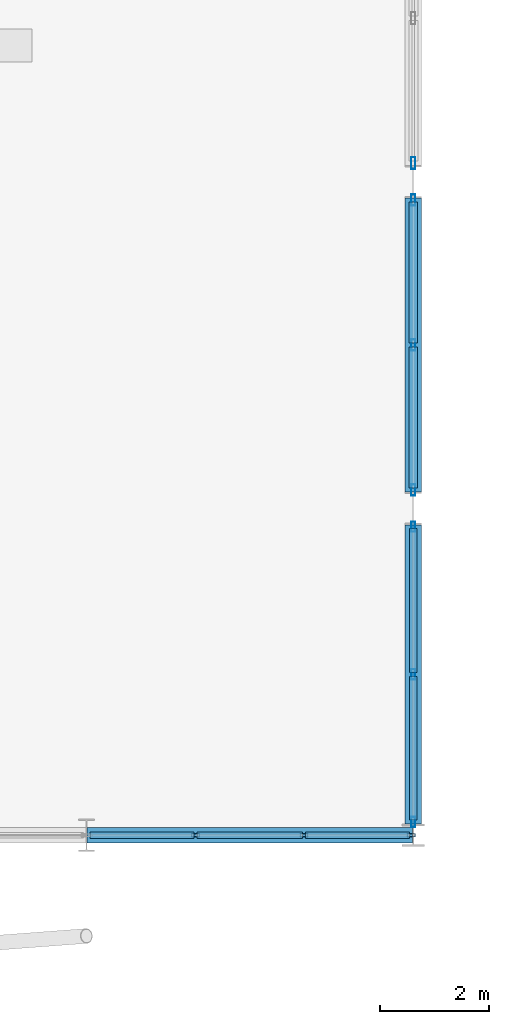
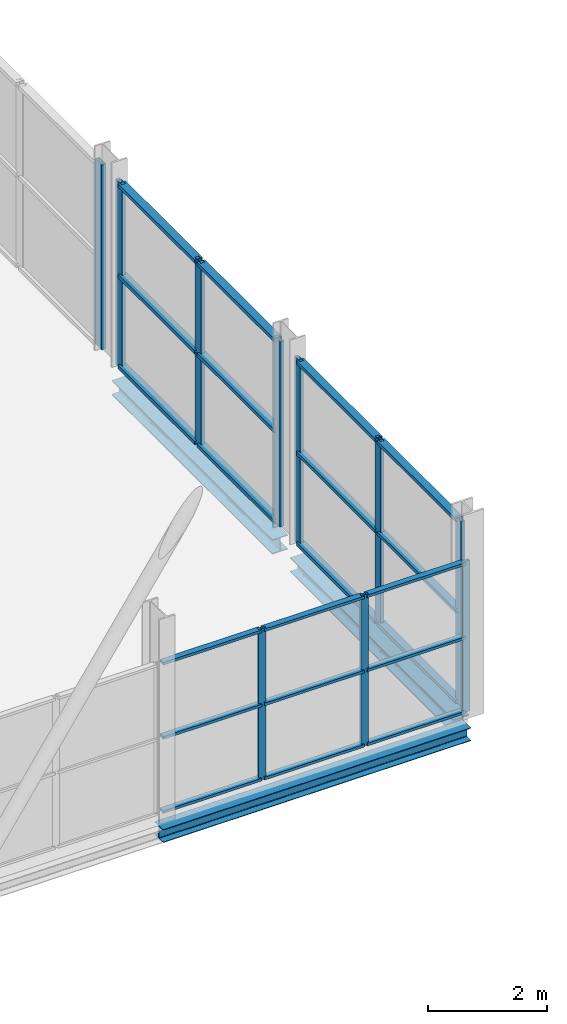
# One storey, part 33 of 140: 31 members, 3 beams, 4 elements without a shape of their own.
"""IFC4 building model written with IfcOpenShell, lengths in metres."""

from ifc_helpers import new_model, si_unit, direction, frame, origin, origin_2d, place, context, subcontext, project, spatial, hollow_rectangle, i_section, extrude, material, layer, layer_set, material_profile, profile_set, type_object, element, aggregate, save


model = new_model("IFC4")

# Units and contexts
model_context = context("Model", 3, precision=1e-05, world=origin(), true_north=direction((0.0, 1.0)))
body_context = subcontext(model_context, "Body", "Model", "MODEL_VIEW")
ifc_project = project(units=[si_unit("LENGTHUNIT", "METRE"), si_unit("AREAUNIT", "SQUARE_METRE"), si_unit("VOLUMEUNIT", "CUBIC_METRE"), si_unit("PLANEANGLEUNIT", "RADIAN"), si_unit("MASSUNIT", "GRAM", prefix="KILO")], contexts=[model_context])

# Site, building, storey
site_placement = place(None, origin())
site = spatial("IfcSite", under=ifc_project, at=site_placement, CompositionType="ELEMENT")
building_placement = place(site_placement, origin())
building = spatial("IfcBuilding", under=site, at=building_placement, Name="Deido Ridge Mobility Hub", CompositionType="ELEMENT")
storey_placement = place(building_placement, origin())
storey = spatial("IfcBuildingStorey", under=building, at=storey_placement, Name="L00", CompositionType="ELEMENT", Elevation=0.0)

# Curtain wall, members
ifc_material_1 = material(Name="Anodised aluminium EN AW-6063 T6", Category="aluminium")
ifc_layer_1 = layer(ifc_material_1, 0.179931640625, Name="Anodised aluminium EN AW-6063 T6")
ifc_layer_set_1 = layer_set([ifc_layer_1], Name="Anodised aluminium EN AW-6063 T6")
curtain_wall_type_1 = type_object("IfcCurtainWallType", Name="CW-UF-2", PredefinedType="USERDEFINED", material=ifc_layer_set_1)
curtain_wall_1_placement = place(storey_placement, origin())
curtain_wall_1 = element("IfcCurtainWall", 1, at=curtain_wall_1_placement, inside=storey, type_object=curtain_wall_type_1, Name="Unitised curtain wall CW2", ObjectType="UNITISED FACADE", PredefinedType="USERDEFINED")
ifc_material_profile_1 = material_profile(ifc_material_1, hollow_rectangle(XDim=0.054931640625, YDim=0.14501953125, WallThickness=0.00390625, at=origin_2d()), Name="RHS 55x145x4")
ifc_profile_set_1 = profile_set([ifc_material_profile_1], Name="Anodised aluminium EN AW-6063 T6")
member_type_1 = type_object("IfcMemberType", Name="MEM-MUL-55X145", PredefinedType="MULLION", material=ifc_profile_set_1)
member_1_placement = place(storey_placement, frame((56.001220703125, 0.0, 0.0), z_axis=(0.0, 0.0, 1.0), x_axis=(0.0, 1.0, 0.0)))
member_1 = element("IfcMember", 2, at=member_1_placement, type_object=member_type_1, Name="CW2 mullion 2", PredefinedType="MULLION", context=body_context, shape_type="SweptSolid", body=[
    extrude(hollow_rectangle(XDim=0.054931640625, YDim=0.14501953125, WallThickness=0.00390625, at=origin_2d()), origin(), (0.0, 0.0, 1.0), 3.10009765625),
])
member_2_placement = place(storey_placement, frame((57.99462890625, 0.0, 0.0), z_axis=(0.0, 0.0, 1.0), x_axis=(0.0, 1.0, 0.0)))
member_2 = element("IfcMember", 3, at=member_2_placement, type_object=member_type_1, Name="CW2 mullion 3", PredefinedType="MULLION", context=body_context, shape_type="SweptSolid", body=[
    extrude(hollow_rectangle(XDim=0.054931640625, YDim=0.14501953125, WallThickness=0.00390625, at=origin_2d()), origin(), (0.0, 0.0, 1.0), 3.10009765625),
])
member_3_placement = place(storey_placement, frame((59.96044921875, 0.0, 0.0), z_axis=(0.0, 0.0, 1.0), x_axis=(0.0, 1.0, 0.0)))
member_3 = element("IfcMember", 4, at=member_3_placement, type_object=member_type_1, Name="CW2 mullion 4", PredefinedType="MULLION", context=body_context, shape_type="SweptSolid", body=[
    extrude(hollow_rectangle(XDim=0.054931640625, YDim=0.14501953125, WallThickness=0.00390625, at=origin_2d()), origin(), (0.0, 0.0, 1.0), 3.10009765625),
])

ifc_layer_2 = layer(ifc_material_1, 0.239990234375, Name="Anodised aluminium EN AW-6063 T6")
ifc_layer_set_2 = layer_set([ifc_layer_2], Name="Anodised aluminium EN AW-6063 T6")
curtain_wall_type_2 = type_object("IfcCurtainWallType", Name="CW-UF-6", PredefinedType="USERDEFINED", material=ifc_layer_set_2)
curtain_wall_2_placement = place(storey_placement, origin())
curtain_wall_2 = element("IfcCurtainWall", 5, at=curtain_wall_2_placement, inside=storey, type_object=curtain_wall_type_2, Name="Unitised curtain wall CW6", ObjectType="UNITISED FACADE", PredefinedType="USERDEFINED")
ifc_material_profile_2 = material_profile(ifc_material_1, hollow_rectangle(XDim=0.070068359375, YDim=0.18994140625, WallThickness=0.00390625, at=origin_2d()), Name="RHS 70x190x4")
ifc_profile_set_2 = profile_set([ifc_material_profile_2], Name="Anodised aluminium EN AW-6063 T6")
member_type_2 = type_object("IfcMemberType", Name="MEM-MUL-70X190", PredefinedType="MULLION", material=ifc_profile_set_2)
member_4_placement = place(storey_placement, frame((60.0, 0.242919921875, 0.0), z_axis=(0.0, 0.0, 1.0), x_axis=(-1.0, 0.0, 0.0)))
member_4 = element("IfcMember", 6, at=member_4_placement, type_object=member_type_2, Name="CW6 mullion 1", PredefinedType="MULLION", context=body_context, shape_type="SweptSolid", body=[
    extrude(hollow_rectangle(XDim=0.070068359375, YDim=0.18994140625, WallThickness=0.00390625, at=origin_2d()), origin(), (0.0, 0.0, 1.0), 3.800048828125),
])
member_5_placement = place(storey_placement, frame((60.0, 2.9541015625, 0.0), z_axis=(0.0, 0.0, 1.0), x_axis=(-1.0, 0.0, 0.0)))
member_5 = element("IfcMember", 7, at=member_5_placement, type_object=member_type_2, Name="CW6 mullion 2", PredefinedType="MULLION", context=body_context, shape_type="SweptSolid", body=[
    extrude(hollow_rectangle(XDim=0.070068359375, YDim=0.18994140625, WallThickness=0.00390625, at=origin_2d()), origin(), (0.0, 0.0, 1.0), 3.800048828125),
])
member_6_placement = place(storey_placement, frame((60.0, 5.6650390625, 0.0), z_axis=(0.0, 0.0, 1.0), x_axis=(-1.0, 0.0, 0.0)))
member_6 = element("IfcMember", 8, at=member_6_placement, type_object=member_type_2, Name="CW6 mullion 3", PredefinedType="MULLION", context=body_context, shape_type="SweptSolid", body=[
    extrude(hollow_rectangle(XDim=0.070068359375, YDim=0.18994140625, WallThickness=0.00390625, at=origin_2d()), origin(), (0.0, 0.0, 1.0), 3.800048828125),
])

ifc_layer_3 = layer(ifc_material_1, 0.2548828125, Name="Anodised aluminium EN AW-6063 T6")
ifc_layer_set_3 = layer_set([ifc_layer_3], Name="Anodised aluminium EN AW-6063 T6")
curtain_wall_type_3 = type_object("IfcCurtainWallType", Name="CW-UF-7", PredefinedType="USERDEFINED", material=ifc_layer_set_3)
curtain_wall_3_placement = place(storey_placement, origin())
curtain_wall_3 = element("IfcCurtainWall", 9, at=curtain_wall_3_placement, inside=storey, type_object=curtain_wall_type_3, Name="Unitised curtain wall CW7", ObjectType="UNITISED FACADE", PredefinedType="USERDEFINED")
ifc_material_profile_3 = material_profile(ifc_material_1, hollow_rectangle(XDim=0.074951171875, YDim=0.205078125, WallThickness=0.00390625, at=origin_2d()), Name="RHS 75x205x4")
ifc_profile_set_3 = profile_set([ifc_material_profile_3], Name="Anodised aluminium EN AW-6063 T6")
member_type_3 = type_object("IfcMemberType", Name="MEM-MUL-75X205", PredefinedType="MULLION", material=ifc_profile_set_3)
member_7_placement = place(storey_placement, frame((60.0, 6.33740234375, 0.0), z_axis=(0.0, 0.0, 1.0), x_axis=(-1.0, 0.0, 0.0)))
member_7 = element("IfcMember", 10, at=member_7_placement, type_object=member_type_3, Name="CW7 mullion 1", PredefinedType="MULLION", context=body_context, shape_type="SweptSolid", body=[
    extrude(hollow_rectangle(XDim=0.074951171875, YDim=0.205078125, WallThickness=0.00390625, at=origin_2d()), origin(), (0.0, 0.0, 1.0), 3.800048828125),
])
member_8_placement = place(storey_placement, frame((60.0, 9.0, 0.0), z_axis=(0.0, 0.0, 1.0), x_axis=(-1.0, 0.0, 0.0)))
member_8 = element("IfcMember", 11, at=member_8_placement, type_object=member_type_3, Name="CW7 mullion 2", PredefinedType="MULLION", context=body_context, shape_type="SweptSolid", body=[
    extrude(hollow_rectangle(XDim=0.074951171875, YDim=0.205078125, WallThickness=0.00390625, at=origin_2d()), origin(), (0.0, 0.0, 1.0), 3.800048828125),
])
member_9_placement = place(storey_placement, frame((60.0, 11.66259765625, 0.0), z_axis=(0.0, 0.0, 1.0), x_axis=(-1.0, 0.0, 0.0)))
member_9 = element("IfcMember", 12, at=member_9_placement, type_object=member_type_3, Name="CW7 mullion 3", PredefinedType="MULLION", context=body_context, shape_type="SweptSolid", body=[
    extrude(hollow_rectangle(XDim=0.074951171875, YDim=0.205078125, WallThickness=0.00390625, at=origin_2d()), origin(), (0.0, 0.0, 1.0), 3.800048828125),
])

# Curtain wall, member
ifc_layer_4 = layer(ifc_material_1, 0.27001953125, Name="Anodised aluminium EN AW-6063 T6")
ifc_layer_set_4 = layer_set([ifc_layer_4], Name="Anodised aluminium EN AW-6063 T6")
curtain_wall_type_4 = type_object("IfcCurtainWallType", Name="CW-UF-8", PredefinedType="USERDEFINED", material=ifc_layer_set_4)
curtain_wall_4_placement = place(storey_placement, origin())
curtain_wall_4 = element("IfcCurtainWall", 13, at=curtain_wall_4_placement, inside=storey, type_object=curtain_wall_type_4, Name="Unitised curtain wall CW8", ObjectType="UNITISED FACADE", PredefinedType="USERDEFINED")
ifc_material_profile_4 = material_profile(ifc_material_1, hollow_rectangle(XDim=0.080078125, YDim=0.219970703125, WallThickness=0.00390625, at=origin_2d()), Name="RHS 80x220x4")
ifc_profile_set_4 = profile_set([ifc_material_profile_4], Name="Anodised aluminium EN AW-6063 T6")
member_type_4 = type_object("IfcMemberType", Name="MEM-MUL-80X220", PredefinedType="MULLION", material=ifc_profile_set_4)
member_10_placement = place(storey_placement, frame((60.0, 12.340087890625, 0.0), z_axis=(0.0, 0.0, 1.0), x_axis=(-1.0, 0.0, 0.0)))
member_10 = element("IfcMember", 14, at=member_10_placement, type_object=member_type_4, Name="CW8 mullion 1", PredefinedType="MULLION", context=body_context, shape_type="SweptSolid", body=[
    extrude(hollow_rectangle(XDim=0.080078125, YDim=0.219970703125, WallThickness=0.00390625, at=origin_2d()), origin(), (0.0, 0.0, 1.0), 3.800048828125),
])
aggregate(curtain_wall_4, [member_10])

# Member
ifc_material_profile_5 = material_profile(ifc_material_1, hollow_rectangle(XDim=0.114990234375, YDim=0.054931640625, WallThickness=0.00390625, at=origin_2d()), Name="RHS 115x55x4")
ifc_profile_set_5 = profile_set([ifc_material_profile_5], Name="Anodised aluminium EN AW-6063 T6")
member_type_5 = type_object("IfcMemberType", Name="MEM-TRN-115X55", PredefinedType="USERDEFINED", material=ifc_profile_set_5)
member_11_placement = place(storey_placement, frame((54.062744140625, 0.0, 0.027587890625), z_axis=(1.0, 0.0, 0.0), x_axis=(0.0, 1.0, 0.0)))
member_11 = element("IfcMember", 15, at=member_11_placement, type_object=member_type_5, Name="CW2 transom 1.1", ObjectType="TRANSOM", PredefinedType="USERDEFINED", context=body_context, shape_type="SweptSolid", body=[
    extrude(hollow_rectangle(XDim=0.114990234375, YDim=0.054931640625, WallThickness=0.00390625, at=origin_2d()), origin(), (0.0, 0.0, 1.0), 1.910888671875),
])

member_12_placement = place(storey_placement, frame((54.062744140625, 0.0, 1.550048828125), z_axis=(1.0, 0.0, 0.0), x_axis=(0.0, 1.0, 0.0)))
member_12 = element("IfcMember", 16, at=member_12_placement, type_object=member_type_5, Name="CW2 transom 1.2", ObjectType="TRANSOM", PredefinedType="USERDEFINED", context=body_context, shape_type="SweptSolid", body=[
    extrude(hollow_rectangle(XDim=0.114990234375, YDim=0.054931640625, WallThickness=0.00390625, at=origin_2d()), origin(), (0.0, 0.0, 1.0), 1.910888671875),
])

member_13_placement = place(storey_placement, frame((54.062744140625, 0.0, 3.072509765625), z_axis=(1.0, 0.0, 0.0), x_axis=(0.0, 1.0, 0.0)))
member_13 = element("IfcMember", 17, at=member_13_placement, type_object=member_type_5, Name="CW2 transom 1.3", ObjectType="TRANSOM", PredefinedType="USERDEFINED", context=body_context, shape_type="SweptSolid", body=[
    extrude(hollow_rectangle(XDim=0.114990234375, YDim=0.054931640625, WallThickness=0.00390625, at=origin_2d()), origin(), (0.0, 0.0, 1.0), 1.910888671875),
])

member_14_placement = place(storey_placement, frame((56.02880859375, 0.0, 0.027587890625), z_axis=(1.0, 0.0, 0.0), x_axis=(0.0, 1.0, 0.0)))
member_14 = element("IfcMember", 18, at=member_14_placement, type_object=member_type_5, Name="CW2 transom 2.1", ObjectType="TRANSOM", PredefinedType="USERDEFINED", context=body_context, shape_type="SweptSolid", body=[
    extrude(hollow_rectangle(XDim=0.114990234375, YDim=0.054931640625, WallThickness=0.00390625, at=origin_2d()), origin(), (0.0, 0.0, 1.0), 1.938232421875),
])

member_15_placement = place(storey_placement, frame((56.02880859375, 0.0, 1.550048828125), z_axis=(1.0, 0.0, 0.0), x_axis=(0.0, 1.0, 0.0)))
member_15 = element("IfcMember", 19, at=member_15_placement, type_object=member_type_5, Name="CW2 transom 2.2", ObjectType="TRANSOM", PredefinedType="USERDEFINED", context=body_context, shape_type="SweptSolid", body=[
    extrude(hollow_rectangle(XDim=0.114990234375, YDim=0.054931640625, WallThickness=0.00390625, at=origin_2d()), origin(), (0.0, 0.0, 1.0), 1.938232421875),
])

member_16_placement = place(storey_placement, frame((56.02880859375, 0.0, 3.072509765625), z_axis=(1.0, 0.0, 0.0), x_axis=(0.0, 1.0, 0.0)))
member_16 = element("IfcMember", 20, at=member_16_placement, type_object=member_type_5, Name="CW2 transom 2.3", ObjectType="TRANSOM", PredefinedType="USERDEFINED", context=body_context, shape_type="SweptSolid", body=[
    extrude(hollow_rectangle(XDim=0.114990234375, YDim=0.054931640625, WallThickness=0.00390625, at=origin_2d()), origin(), (0.0, 0.0, 1.0), 1.938232421875),
])

member_17_placement = place(storey_placement, frame((58.022216796875, 0.0, 0.027587890625), z_axis=(1.0, 0.0, 0.0), x_axis=(0.0, 1.0, 0.0)))
member_17 = element("IfcMember", 21, at=member_17_placement, type_object=member_type_5, Name="CW2 transom 3.1", ObjectType="TRANSOM", PredefinedType="USERDEFINED", context=body_context, shape_type="SweptSolid", body=[
    extrude(hollow_rectangle(XDim=0.114990234375, YDim=0.054931640625, WallThickness=0.00390625, at=origin_2d()), origin(), (0.0, 0.0, 1.0), 1.910888671875),
])

member_18_placement = place(storey_placement, frame((58.022216796875, 0.0, 1.550048828125), z_axis=(1.0, 0.0, 0.0), x_axis=(0.0, 1.0, 0.0)))
member_18 = element("IfcMember", 22, at=member_18_placement, type_object=member_type_5, Name="CW2 transom 3.2", ObjectType="TRANSOM", PredefinedType="USERDEFINED", context=body_context, shape_type="SweptSolid", body=[
    extrude(hollow_rectangle(XDim=0.114990234375, YDim=0.054931640625, WallThickness=0.00390625, at=origin_2d()), origin(), (0.0, 0.0, 1.0), 1.910888671875),
])

member_19_placement = place(storey_placement, frame((58.022216796875, 0.0, 3.072509765625), z_axis=(1.0, 0.0, 0.0), x_axis=(0.0, 1.0, 0.0)))
member_19 = element("IfcMember", 23, at=member_19_placement, type_object=member_type_5, Name="CW2 transom 3.3", ObjectType="TRANSOM", PredefinedType="USERDEFINED", context=body_context, shape_type="SweptSolid", body=[
    extrude(hollow_rectangle(XDim=0.114990234375, YDim=0.054931640625, WallThickness=0.00390625, at=origin_2d()), origin(), (0.0, 0.0, 1.0), 1.910888671875),
])

aggregate(curtain_wall_1, [member_1, member_2, member_3, member_11, member_12, member_13, member_14, member_15, member_16, member_17, member_18, member_19])

ifc_material_profile_6 = material_profile(ifc_material_1, hollow_rectangle(XDim=0.14501953125, YDim=0.070068359375, WallThickness=0.00390625, at=origin_2d()), Name="RHS 145x70x4")
ifc_profile_set_6 = profile_set([ifc_material_profile_6], Name="Anodised aluminium EN AW-6063 T6")
member_type_6 = type_object("IfcMemberType", Name="MEM-TRN-145X70", PredefinedType="USERDEFINED", material=ifc_profile_set_6)
member_20_placement = place(storey_placement, frame((60.0, 0.278076171875, 0.034912109375), z_axis=(0.0, 1.0, 0.0), x_axis=(-1.0, 0.0, 0.0)))
member_20 = element("IfcMember", 24, at=member_20_placement, type_object=member_type_6, Name="CW6 transom 1.1", ObjectType="TRANSOM", PredefinedType="USERDEFINED", context=body_context, shape_type="SweptSolid", body=[
    extrude(hollow_rectangle(XDim=0.14501953125, YDim=0.070068359375, WallThickness=0.00390625, at=origin_2d()), origin(), (0.0, 0.0, 1.0), 2.640869140625),
])

member_21_placement = place(storey_placement, frame((60.0, 0.278076171875, 1.89990234375), z_axis=(0.0, 1.0, 0.0), x_axis=(-1.0, 0.0, 0.0)))
member_21 = element("IfcMember", 25, at=member_21_placement, type_object=member_type_6, Name="CW6 transom 1.2", ObjectType="TRANSOM", PredefinedType="USERDEFINED", context=body_context, shape_type="SweptSolid", body=[
    extrude(hollow_rectangle(XDim=0.14501953125, YDim=0.070068359375, WallThickness=0.00390625, at=origin_2d()), origin(), (0.0, 0.0, 1.0), 2.640869140625),
])

member_22_placement = place(storey_placement, frame((60.0, 0.278076171875, 3.764892578125), z_axis=(0.0, 1.0, 0.0), x_axis=(-1.0, 0.0, 0.0)))
member_22 = element("IfcMember", 26, at=member_22_placement, type_object=member_type_6, Name="CW6 transom 1.3", ObjectType="TRANSOM", PredefinedType="USERDEFINED", context=body_context, shape_type="SweptSolid", body=[
    extrude(hollow_rectangle(XDim=0.14501953125, YDim=0.070068359375, WallThickness=0.00390625, at=origin_2d()), origin(), (0.0, 0.0, 1.0), 2.640869140625),
])

member_23_placement = place(storey_placement, frame((60.0, 2.989013671875, 0.034912109375), z_axis=(0.0, 1.0, 0.0), x_axis=(-1.0, 0.0, 0.0)))
member_23 = element("IfcMember", 27, at=member_23_placement, type_object=member_type_6, Name="CW6 transom 2.1", ObjectType="TRANSOM", PredefinedType="USERDEFINED", context=body_context, shape_type="SweptSolid", body=[
    extrude(hollow_rectangle(XDim=0.14501953125, YDim=0.070068359375, WallThickness=0.00390625, at=origin_2d()), origin(), (0.0, 0.0, 1.0), 2.640869140625),
])

member_24_placement = place(storey_placement, frame((60.0, 2.989013671875, 1.89990234375), z_axis=(0.0, 1.0, 0.0), x_axis=(-1.0, 0.0, 0.0)))
member_24 = element("IfcMember", 28, at=member_24_placement, type_object=member_type_6, Name="CW6 transom 2.2", ObjectType="TRANSOM", PredefinedType="USERDEFINED", context=body_context, shape_type="SweptSolid", body=[
    extrude(hollow_rectangle(XDim=0.14501953125, YDim=0.070068359375, WallThickness=0.00390625, at=origin_2d()), origin(), (0.0, 0.0, 1.0), 2.640869140625),
])

member_25_placement = place(storey_placement, frame((60.0, 2.989013671875, 3.764892578125), z_axis=(0.0, 1.0, 0.0), x_axis=(-1.0, 0.0, 0.0)))
member_25 = element("IfcMember", 29, at=member_25_placement, type_object=member_type_6, Name="CW6 transom 2.3", ObjectType="TRANSOM", PredefinedType="USERDEFINED", context=body_context, shape_type="SweptSolid", body=[
    extrude(hollow_rectangle(XDim=0.14501953125, YDim=0.070068359375, WallThickness=0.00390625, at=origin_2d()), origin(), (0.0, 0.0, 1.0), 2.640869140625),
])

aggregate(curtain_wall_2, [member_4, member_5, member_6, member_20, member_21, member_22, member_23, member_24, member_25])

ifc_material_profile_7 = material_profile(ifc_material_1, hollow_rectangle(XDim=0.155029296875, YDim=0.074951171875, WallThickness=0.00390625, at=origin_2d()), Name="RHS 155x75x4")
ifc_profile_set_7 = profile_set([ifc_material_profile_7], Name="Anodised aluminium EN AW-6063 T6")
member_type_7 = type_object("IfcMemberType", Name="MEM-TRN-155X75", PredefinedType="USERDEFINED", material=ifc_profile_set_7)
member_26_placement = place(storey_placement, frame((60.0, 6.375, 0.03759765625), z_axis=(0.0, 1.0, 0.0), x_axis=(-1.0, 0.0, 0.0)))
member_26 = element("IfcMember", 30, at=member_26_placement, type_object=member_type_7, Name="CW7 transom 1.1", ObjectType="TRANSOM", PredefinedType="USERDEFINED", context=body_context, shape_type="SweptSolid", body=[
    extrude(hollow_rectangle(XDim=0.155029296875, YDim=0.074951171875, WallThickness=0.00390625, at=origin_2d()), origin(), (0.0, 0.0, 1.0), 2.58740234375),
])

member_27_placement = place(storey_placement, frame((60.0, 6.375, 1.89990234375), z_axis=(0.0, 1.0, 0.0), x_axis=(-1.0, 0.0, 0.0)))
member_27 = element("IfcMember", 31, at=member_27_placement, type_object=member_type_7, Name="CW7 transom 1.2", ObjectType="TRANSOM", PredefinedType="USERDEFINED", context=body_context, shape_type="SweptSolid", body=[
    extrude(hollow_rectangle(XDim=0.155029296875, YDim=0.074951171875, WallThickness=0.00390625, at=origin_2d()), origin(), (0.0, 0.0, 1.0), 2.58740234375),
])

member_28_placement = place(storey_placement, frame((60.0, 6.375, 3.762451171875), z_axis=(0.0, 1.0, 0.0), x_axis=(-1.0, 0.0, 0.0)))
member_28 = element("IfcMember", 32, at=member_28_placement, type_object=member_type_7, Name="CW7 transom 1.3", ObjectType="TRANSOM", PredefinedType="USERDEFINED", context=body_context, shape_type="SweptSolid", body=[
    extrude(hollow_rectangle(XDim=0.155029296875, YDim=0.074951171875, WallThickness=0.00390625, at=origin_2d()), origin(), (0.0, 0.0, 1.0), 2.58740234375),
])

member_29_placement = place(storey_placement, frame((60.0, 9.03759765625, 0.03759765625), z_axis=(0.0, 1.0, 0.0), x_axis=(-1.0, 0.0, 0.0)))
member_29 = element("IfcMember", 33, at=member_29_placement, type_object=member_type_7, Name="CW7 transom 2.1", ObjectType="TRANSOM", PredefinedType="USERDEFINED", context=body_context, shape_type="SweptSolid", body=[
    extrude(hollow_rectangle(XDim=0.155029296875, YDim=0.074951171875, WallThickness=0.00390625, at=origin_2d()), origin(), (0.0, 0.0, 1.0), 2.58740234375),
])

member_30_placement = place(storey_placement, frame((60.0, 9.03759765625, 1.89990234375), z_axis=(0.0, 1.0, 0.0), x_axis=(-1.0, 0.0, 0.0)))
member_30 = element("IfcMember", 34, at=member_30_placement, type_object=member_type_7, Name="CW7 transom 2.2", ObjectType="TRANSOM", PredefinedType="USERDEFINED", context=body_context, shape_type="SweptSolid", body=[
    extrude(hollow_rectangle(XDim=0.155029296875, YDim=0.074951171875, WallThickness=0.00390625, at=origin_2d()), origin(), (0.0, 0.0, 1.0), 2.58740234375),
])

member_31_placement = place(storey_placement, frame((60.0, 9.03759765625, 3.762451171875), z_axis=(0.0, 1.0, 0.0), x_axis=(-1.0, 0.0, 0.0)))
member_31 = element("IfcMember", 35, at=member_31_placement, type_object=member_type_7, Name="CW7 transom 2.3", ObjectType="TRANSOM", PredefinedType="USERDEFINED", context=body_context, shape_type="SweptSolid", body=[
    extrude(hollow_rectangle(XDim=0.155029296875, YDim=0.074951171875, WallThickness=0.00390625, at=origin_2d()), origin(), (0.0, 0.0, 1.0), 2.58740234375),
])

aggregate(curtain_wall_3, [member_7, member_8, member_9, member_26, member_27, member_28, member_29, member_30, member_31])

# Beams
ifc_material_2 = material(Name="Steel S355J2 EN 10025-2", Category="steel")
ifc_material_profile_8 = material_profile(ifc_material_2, i_section(OverallWidth=0.280029296875, OverallDepth=0.27001953125, WebThickness=0.008056640625, FlangeThickness=0.012939453125, FilletRadius=0.02392578125, at=origin_2d()), Name="HEA 280")
ifc_profile_set_8 = profile_set([ifc_material_profile_8], Name="Steel S355J2 EN 10025-2")
beam_type_1 = type_object("IfcBeamType", Name="SPD-HEA280", PredefinedType="SPANDREL", material=ifc_profile_set_8)
beam_1_placement = place(storey_placement, frame((54.0078125, 0.0, -0.39501953125), z_axis=(1.0, 0.0, 0.0), x_axis=(0.0, 1.0, 0.0)))
element("IfcBeam", 36, at=beam_1_placement, inside=storey, type_object=beam_type_1, Name="Floor beam SP2", PredefinedType="SPANDREL", context=body_context, shape_type="SweptSolid", body=[
    extrude(i_section(OverallWidth=0.280029296875, OverallDepth=0.27001953125, WebThickness=0.008056640625, FlangeThickness=0.012939453125, FilletRadius=0.02392578125, at=origin_2d()), origin(), (0.0, 0.0, 1.0), 5.980224609375),
])
ifc_material_profile_9 = material_profile(ifc_material_2, i_section(OverallWidth=0.300048828125, OverallDepth=0.300048828125, WebThickness=0.010986328125, FlangeThickness=0.01904296875, FilletRadius=0.027099609375, at=origin_2d()), Name="HEB 300")
ifc_profile_set_9 = profile_set([ifc_material_profile_9], Name="Steel S355J2 EN 10025-2")
beam_type_2 = type_object("IfcBeamType", Name="SPD-HEB300", PredefinedType="SPANDREL", material=ifc_profile_set_9)
beam_2_placement = place(storey_placement, frame((60.0, 0.2080078125, -0.409912109375), z_axis=(0.0, 1.0, 0.0), x_axis=(-1.0, 0.0, 0.0)))
element("IfcBeam", 37, at=beam_2_placement, inside=storey, type_object=beam_type_2, Name="Floor beam SP1", PredefinedType="SPANDREL", context=body_context, shape_type="SweptSolid", body=[
    extrude(i_section(OverallWidth=0.300048828125, OverallDepth=0.300048828125, WebThickness=0.010986328125, FlangeThickness=0.01904296875, FilletRadius=0.027099609375, at=origin_2d()), origin(), (0.0, 0.0, 1.0), 5.491943359375),
])
beam_3_placement = place(storey_placement, frame((60.0, 6.300048828125, -0.409912109375), z_axis=(0.0, 1.0, 0.0), x_axis=(-1.0, 0.0, 0.0)))
element("IfcBeam", 38, at=beam_3_placement, inside=storey, type_object=beam_type_2, Name="Floor beam SP1", PredefinedType="SPANDREL", context=body_context, shape_type="SweptSolid", body=[
    extrude(i_section(OverallWidth=0.300048828125, OverallDepth=0.300048828125, WebThickness=0.010986328125, FlangeThickness=0.01904296875, FilletRadius=0.027099609375, at=origin_2d()), origin(), (0.0, 0.0, 1.0), 5.39990234375),
])

save(model, "model.ifc")
